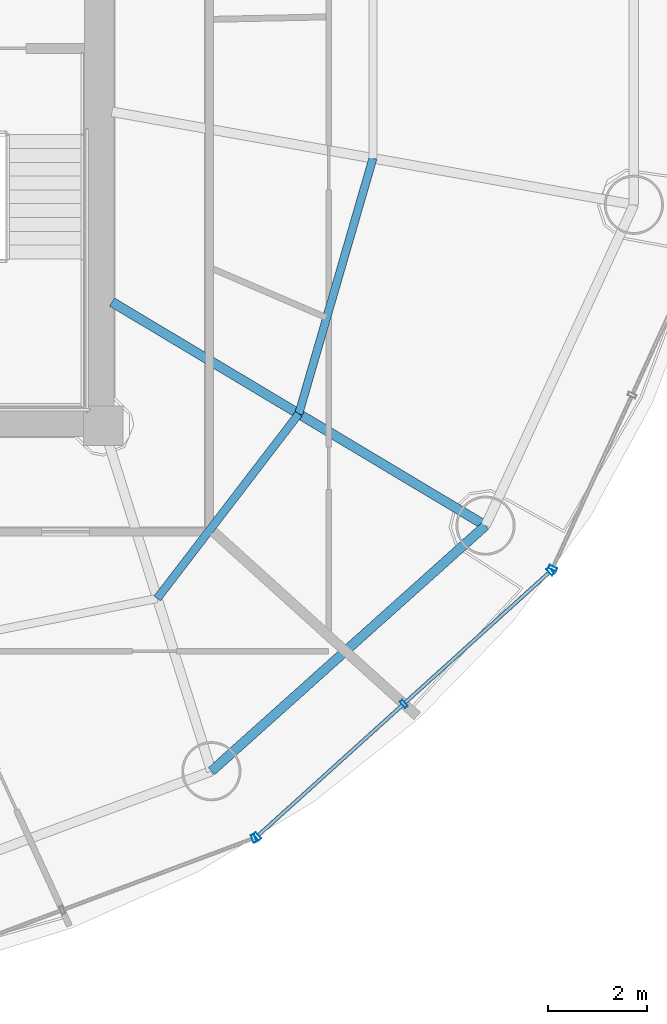
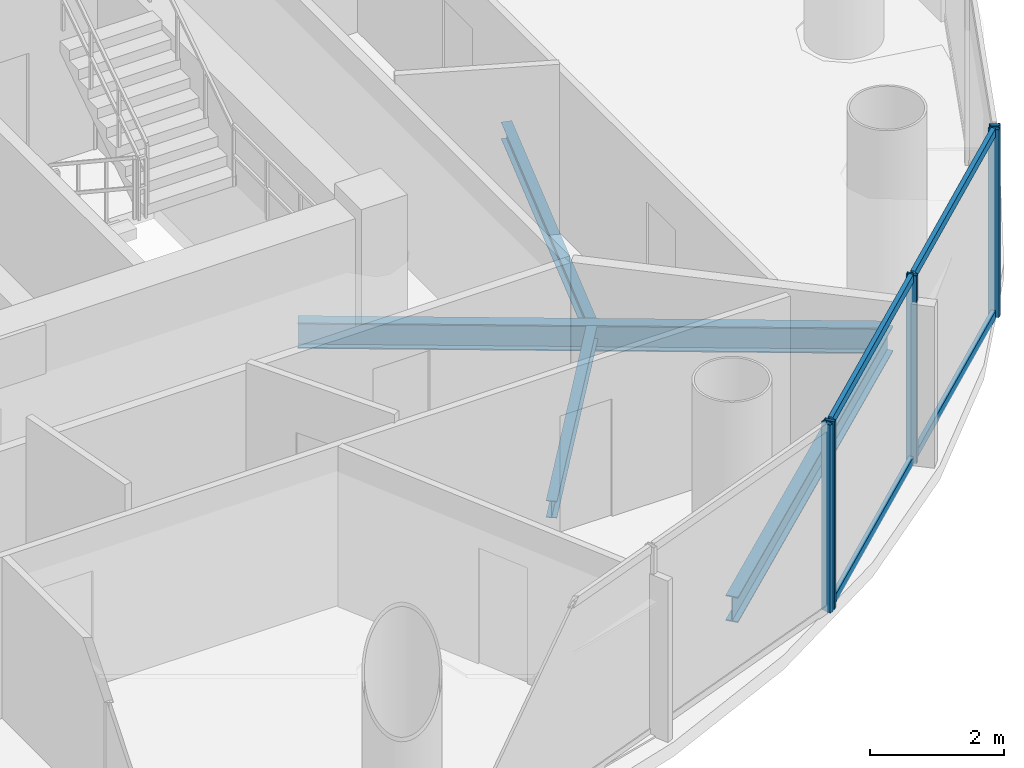
# One storey, part 10 of 26: 9 members, 4 beams, 3 elements without a shape of their own.
"""IFC4 building model written with IfcOpenShell, lengths in metres."""

from ifc_helpers import new_model, si_unit, direction, frame, origin, origin_2d, place, context, subcontext, project, spatial, hollow_rectangle, i_section, extrude, source, transform, mapped, material, material_profile, profile_set, type_object, element, aggregate, save


model = new_model("IFC4")

# Units and contexts
model_context = context("Model", 3, precision=1e-05, world=origin(), true_north=direction((-0.2419218956, 0.970295726276)))
body_context = subcontext(model_context, "Body", "Model", "MODEL_VIEW")
ifc_project = project(units=[si_unit("LENGTHUNIT", "METRE"), si_unit("AREAUNIT", "SQUARE_METRE"), si_unit("VOLUMEUNIT", "CUBIC_METRE"), si_unit("PLANEANGLEUNIT", "RADIAN"), si_unit("MASSUNIT", "GRAM", prefix="KILO")], contexts=[model_context])

# Site, building, storey
site_placement = place(None, origin())
site = spatial("IfcSite", under=ifc_project, at=site_placement, CompositionType="ELEMENT")
building_placement = place(site_placement, origin())
building = spatial("IfcBuilding", under=site, at=building_placement, Name="Cobrevalo Terracotta Tower", CompositionType="ELEMENT")
storey_placement = place(building_placement, frame((0.0, 0.0, 202.300048828125)))
storey = spatial("IfcBuildingStorey", under=building, at=storey_placement, Name="L53", CompositionType="ELEMENT", Elevation=202.300048828125)

# Beams
ifc_material_1 = material(Name="Steel S355", Category="steel")
ifc_material_profile_1 = material_profile(ifc_material_1, i_section(OverallWidth=0.194091796875, OverallDepth=0.468994140625, WebThickness=0.011474609375, FlangeThickness=0.0205078125, at=origin_2d()), Name="W 460x106")
ifc_profile_set_1 = profile_set([ifc_material_profile_1], Name="Steel S355")
beam_type_1 = type_object("IfcBeamType", Name="Structural Beam W 460x106 (Steel S355)", PredefinedType="BEAM", material=ifc_profile_set_1)
beam_1_placement = place(storey_placement, frame((54.754150390625, 16.77197265625, -0.49951171875), z_axis=(-0.858046392192, 0.513572184651, 0.0), x_axis=(-0.513572184651, -0.858046392192, 0.0)))
element("IfcBeam", 1, at=beam_1_placement, inside=storey, type_object=beam_type_1, Name="L53 radial floor girder 15", PredefinedType="BEAM", context=body_context, shape_type="SweptSolid", body=[
    extrude(i_section(OverallWidth=0.194091796875, OverallDepth=0.468994140625, WebThickness=0.011474609375, FlangeThickness=0.0205078125, at=origin_2d()), origin(), (0.0, 0.0, 1.0), 8.827392578125),
])
ifc_material_profile_2 = material_profile(ifc_material_1, i_section(OverallWidth=0.1650390625, OverallDepth=0.31005859375, WebThickness=0.005859375, FlangeThickness=0.009765625, at=origin_2d()), Name="W 310x38.7")
ifc_profile_set_2 = profile_set([ifc_material_profile_2], Name="Steel S355")
beam_type_2 = type_object("IfcBeamType", Name="Structural Joist W 310x38.7 (Steel S355)", PredefinedType="JOIST", material=ifc_profile_set_2)
beam_2_placement = place(storey_placement, frame((48.097412109375, 15.2958984375, -0.420166015625), z_axis=(0.608464146296, 0.793581364872, 0.0), x_axis=(-0.793581364872, 0.608464146296, 0.0)))
element("IfcBeam", 2, at=beam_2_placement, inside=storey, type_object=beam_type_2, Name="L53 circumferential secondary floor joist 14", PredefinedType="JOIST", context=body_context, shape_type="SweptSolid", body=[
    extrude(i_section(OverallWidth=0.1650390625, OverallDepth=0.31005859375, WebThickness=0.005859375, FlangeThickness=0.009765625, at=origin_2d()), origin(), (0.0, 0.0, 1.0), 4.716064453125),
])
beam_3_placement = place(storey_placement, frame((50.967041015625, 19.03857421875, -0.420166015625), z_axis=(0.278757705995, 0.960361463902, 0.0), x_axis=(-0.960361463902, 0.278757705995, 0.0)))
element("IfcBeam", 3, at=beam_3_placement, inside=storey, type_object=beam_type_2, Name="L53 circumferential secondary floor joist 15", PredefinedType="JOIST", context=body_context, shape_type="SweptSolid", body=[
    extrude(i_section(OverallWidth=0.1650390625, OverallDepth=0.31005859375, WebThickness=0.005859375, FlangeThickness=0.009765625, at=origin_2d()), origin(), (0.0, 0.0, 1.0), 5.396728515625),
])
ifc_material_profile_3 = material_profile(ifc_material_1, i_section(OverallWidth=0.194091796875, OverallDepth=0.468994140625, WebThickness=0.011474609375, FlangeThickness=0.0205078125, at=origin_2d()), Name="W 460x106")
ifc_profile_set_3 = profile_set([ifc_material_profile_3], Name="Steel S355")
beam_type_3 = type_object("IfcBeamType", Name="Structural Spandrel W 460x106 (Steel S355)", PredefinedType="SPANDREL", material=ifc_profile_set_3)
beam_4_placement = place(storey_placement, frame((49.19482421875, 11.7919921875, -0.49951171875), z_axis=(0.744851930997, 0.667229796165, 0.0), x_axis=(-0.667229796165, 0.744851930997, 0.0)))
element("IfcBeam", 4, at=beam_4_placement, inside=storey, type_object=beam_type_3, Name="L53 perimeter ring spandrel 14", PredefinedType="SPANDREL", context=body_context, shape_type="SweptSolid", body=[
    extrude(i_section(OverallWidth=0.194091796875, OverallDepth=0.468994140625, WebThickness=0.011474609375, FlangeThickness=0.0205078125, at=origin_2d()), origin(), (0.0, 0.0, 1.0), 7.463623046875),
])

# Curtain wall, members
ifc_material_2 = material(Name="Anodized aluminium", Category="aluminium")
curtain_wall_type = type_object("IfcCurtainWallType", Name="Mid-tower high-wind unitised curtain wall CW-U2", PredefinedType="NOTDEFINED", material=ifc_material_2)
curtain_wall_1_placement = place(storey_placement, origin())
curtain_wall_1 = element("IfcCurtainWall", 5, at=curtain_wall_1_placement, inside=storey, type_object=curtain_wall_type, Name="L53 curtain wall CW-L53-S14", PredefinedType="NOTDEFINED")
ifc_material_profile_4 = material_profile(ifc_material_2, hollow_rectangle(XDim=0.074951171875, YDim=0.14990234375, WallThickness=0.00439453125, at=origin_2d()), Name="CWT 75x150")
ifc_profile_set_4 = profile_set([ifc_material_profile_4], Name="Anodized aluminium")
member_type_1 = type_object("IfcMemberType", Name="Tower unitised aluminium transom 75x150", PredefinedType="USERDEFINED", material=ifc_profile_set_4)
shared_shape_1 = source(origin(), body_context, "Body", "SweptSolid", [
    extrude(hollow_rectangle(XDim=0.074951171875, YDim=0.14990234375, WallThickness=0.00439453125, at=origin_2d()), origin(), (0.0, 0.0, 1.0), 3.927490234375),
])
member_1_placement = place(storey_placement, frame((53.127685546875, 13.185302734375, 0.050048828125), z_axis=(0.741975952623, 0.670426495396, 0.0), x_axis=(-0.670426495396, 0.741975952623, 0.0)))
member_1 = element("IfcMember", 6, at=member_1_placement, type_object=member_type_1, Name="CW-L53-S14 transom B02-T1", ObjectType="TRANSOM", PredefinedType="USERDEFINED", context=body_context, shape_type="MappedRepresentation", body=[
    mapped(shared_shape_1, transform((0.0, 0.0, 0.0), scale=1.0)),
])
member_2_placement = place(storey_placement, frame((53.127685546875, 13.185302734375, 3.385009765625), z_axis=(0.741975952623, 0.670426495396, 0.0), x_axis=(-0.670426495396, 0.741975952623, 0.0)))
member_2 = element("IfcMember", 7, at=member_2_placement, type_object=member_type_1, Name="CW-L53-S14 transom B02-T2", ObjectType="TRANSOM", PredefinedType="USERDEFINED", context=body_context, shape_type="MappedRepresentation", body=[
    mapped(shared_shape_1, transform((0.0, 0.0, 0.0), scale=1.0)),
])
shared_shape_2 = source(origin(), body_context, "Body", "SweptSolid", [
    extrude(hollow_rectangle(XDim=0.074951171875, YDim=0.14990234375, WallThickness=0.00439453125, at=origin_2d()), origin(), (0.0, 0.0, 1.0), 3.927734375),
])
member_3_placement = place(storey_placement, frame((50.154052734375, 10.49853515625, 0.050048828125), z_axis=(0.742003891138, 0.670395573923, 0.0), x_axis=(-0.670395573923, 0.742003891138, 0.0)))
member_3 = element("IfcMember", 8, at=member_3_placement, type_object=member_type_1, Name="CW-L53-S14 transom B01-T1", ObjectType="TRANSOM", PredefinedType="USERDEFINED", context=body_context, shape_type="MappedRepresentation", body=[
    mapped(shared_shape_2, transform((0.0, 0.0, 0.0), scale=1.0)),
])
member_4_placement = place(storey_placement, frame((50.154052734375, 10.49853515625, 3.385009765625), z_axis=(0.742003891138, 0.670395573923, 0.0), x_axis=(-0.670395573923, 0.742003891138, 0.0)))
member_4 = element("IfcMember", 9, at=member_4_placement, type_object=member_type_1, Name="CW-L53-S14 transom B01-T2", ObjectType="TRANSOM", PredefinedType="USERDEFINED", context=body_context, shape_type="MappedRepresentation", body=[
    mapped(shared_shape_2, transform((0.0, 0.0, 0.0), scale=1.0)),
])

# Curtain wall, member
curtain_wall_2_placement = place(storey_placement, origin())
curtain_wall_2 = element("IfcCurtainWall", 10, at=curtain_wall_2_placement, inside=storey, type_object=curtain_wall_type, Name="L53 curtain wall CW-L53-S13", PredefinedType="NOTDEFINED")
ifc_material_profile_5 = material_profile(ifc_material_2, hollow_rectangle(XDim=0.070068359375, YDim=0.169921875, WallThickness=0.00439453125, at=origin_2d()), Name="CWM 70x170")
ifc_profile_set_5 = profile_set([ifc_material_profile_5], Name="Anodized aluminium")
member_type_2 = type_object("IfcMemberType", Name="Upper tower unitised mullion 70x170", PredefinedType="MULLION", material=ifc_profile_set_5)
shared_shape_3 = source(origin(), body_context, "Body", "SweptSolid", [
    extrude(hollow_rectangle(XDim=0.070068359375, YDim=0.169921875, WallThickness=0.00439453125, at=origin_2d()), origin(), (0.0, 0.0, 1.0), 3.43505859375),
])
member_5_placement = place(storey_placement, frame((50.057373046875, 10.430908203125, 0.0), z_axis=(0.0, 0.0, 1.0), x_axis=(0.936556004584, 0.350517974259, 0.0)))
member_5 = element("IfcMember", 11, at=member_5_placement, type_object=member_type_2, Name="CW-L53-S13 vertical mullion 03", PredefinedType="MULLION", context=body_context, shape_type="MappedRepresentation", body=[
    mapped(shared_shape_3, transform((0.0, 0.0, 0.0), scale=1.0)),
])
aggregate(curtain_wall_2, [member_5])

# Member
member_6_placement = place(storey_placement, frame((50.12451171875, 10.471923828125, 0.0), z_axis=(0.0, 0.0, 1.0), x_axis=(0.741987542015, 0.670413668935, 0.0)))
member_6 = element("IfcMember", 12, at=member_6_placement, type_object=member_type_2, Name="CW-L53-S14 vertical mullion 01", PredefinedType="MULLION", context=body_context, shape_type="MappedRepresentation", body=[
    mapped(shared_shape_3, transform((0.0, 0.0, 0.0), scale=1.0)),
])

member_7_placement = place(storey_placement, frame((53.097900390625, 13.158447265625, 0.0), z_axis=(0.0, 0.0, 1.0), x_axis=(0.741987542015, 0.670413668935, 0.0)))
member_7 = element("IfcMember", 13, at=member_7_placement, type_object=member_type_2, Name="CW-L53-S14 vertical mullion 02", PredefinedType="MULLION", context=body_context, shape_type="MappedRepresentation", body=[
    mapped(shared_shape_3, transform((0.0, 0.0, 0.0), scale=1.0)),
])

member_8_placement = place(storey_placement, frame((56.071533203125, 15.84521484375, 0.0), z_axis=(0.0, 0.0, 1.0), x_axis=(0.741987542015, 0.670413668935, 0.0)))
member_8 = element("IfcMember", 14, at=member_8_placement, type_object=member_type_2, Name="CW-L53-S14 vertical mullion 03", PredefinedType="MULLION", context=body_context, shape_type="MappedRepresentation", body=[
    mapped(shared_shape_3, transform((0.0, 0.0, 0.0), scale=1.0)),
])

aggregate(curtain_wall_1, [member_6, member_7, member_8, member_3, member_4, member_1, member_2])

# Curtain wall, member
curtain_wall_3_placement = place(storey_placement, origin())
curtain_wall_3 = element("IfcCurtainWall", 15, at=curtain_wall_3_placement, inside=storey, type_object=curtain_wall_type, Name="L53 curtain wall CW-L53-S15", PredefinedType="NOTDEFINED")
member_9_placement = place(storey_placement, frame((56.11767578125, 15.908203125, 0.0), z_axis=(0.0, 0.0, 1.0), x_axis=(0.41672507912, 0.909032567311, 0.0)))
member_9 = element("IfcMember", 16, at=member_9_placement, type_object=member_type_2, Name="CW-L53-S15 vertical mullion 01", PredefinedType="MULLION", context=body_context, shape_type="MappedRepresentation", body=[
    mapped(shared_shape_3, transform((0.0, 0.0, 0.0), scale=1.0)),
])
aggregate(curtain_wall_3, [member_9])

save(model, "model.ifc")
